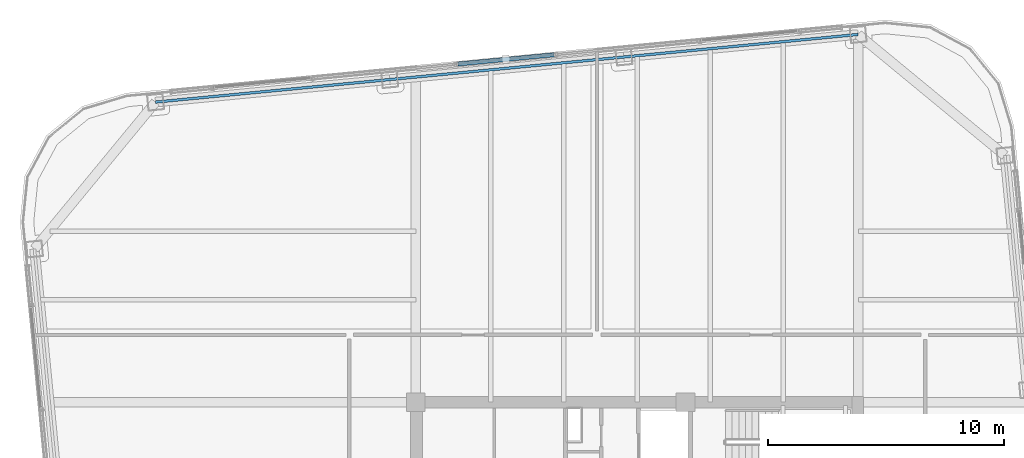
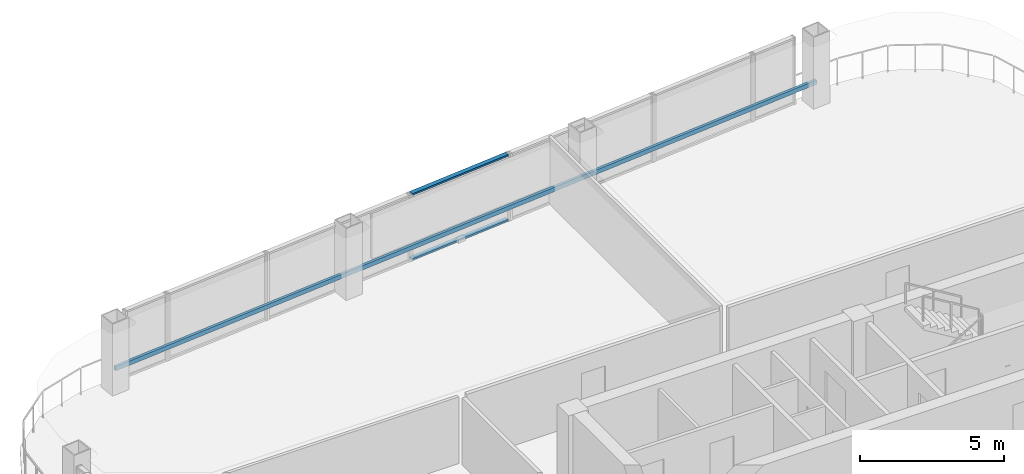
# One storey, part 20 of 28: 3 members, 1 element without a shape of its own.
"""IFC4 building model written with IfcOpenShell, lengths in metres."""

from ifc_helpers import new_model, si_unit, direction, frame, origin, origin_2d, place, context, subcontext, project, spatial, hollow_rectangle, extrude, material, layer, layer_set, material_profile, profile_set, type_object, element, aggregate, save


model = new_model("IFC4")

# Units and contexts
model_context = context("Model", 3, precision=1e-05, world=origin(), true_north=direction((0.0, 1.0)))
body_context = subcontext(model_context, "Body", "Model", "MODEL_VIEW")
ifc_project = project(units=[si_unit("LENGTHUNIT", "METRE"), si_unit("AREAUNIT", "SQUARE_METRE"), si_unit("VOLUMEUNIT", "CUBIC_METRE"), si_unit("PLANEANGLEUNIT", "RADIAN"), si_unit("MASSUNIT", "GRAM", prefix="KILO")], contexts=[model_context])

# Site, building, storey
site_placement = place(None, origin())
site = spatial("IfcSite", under=ifc_project, at=site_placement, CompositionType="ELEMENT")
building_placement = place(site_placement, origin())
building = spatial("IfcBuilding", under=site, at=building_placement, Name="Qhalaya Broadcast Tower", CompositionType="ELEMENT")
storey_placement = place(building_placement, frame((0.0, 0.0, 159.199951171875)))
storey = spatial("IfcBuildingStorey", under=building, at=storey_placement, Name="L46", CompositionType="ELEMENT", Elevation=159.199951171875)

# Member
ifc_material_1 = material(Name="Fired Architectural Terracotta", Category="masonry")
ifc_material_profile_1 = material_profile(ifc_material_1, hollow_rectangle(XDim=0.110107421875, YDim=0.179931640625, WallThickness=0.01806640625, at=origin_2d()), Name="TB-BAG 110x180x18")
ifc_profile_set_1 = profile_set([ifc_material_profile_1], Name="Fired Architectural Terracotta")
member_type_1 = type_object("IfcMemberType", Name="Fired Terracotta Facade Baguette Member TB1", PredefinedType="USERDEFINED", material=ifc_profile_set_1)
member_1_placement = place(storey_placement, frame((9.362060546875, 25.52783203125, 0.84912109375), z_axis=(-0.995396439073, -0.095843252659, 0.0), x_axis=(0.095843252659, -0.995396439073, 0.0)))
element("IfcMember", 1, at=member_1_placement, inside=storey, type_object=member_type_1, Name="L46 Terracotta Baguette Feature Rail N", ObjectType="BAGUETTE", PredefinedType="USERDEFINED", context=body_context, shape_type="SweptSolid", body=[
    extrude(hollow_rectangle(XDim=0.110107421875, YDim=0.179931640625, WallThickness=0.01806640625, at=origin_2d()), origin(), (0.0, 0.0, 1.0), 29.900146484375),
])

# Curtain wall, members
ifc_material_2 = material(Name="Solar-Control Low-E Triple Glazing", Category="glass")
ifc_layer = layer(ifc_material_2, 0.219970703125, Name="Solar-Control Low-E Triple Glazing")
ifc_layer_set = layer_set([ifc_layer], Name="Solar-Control Low-E Triple Glazing")
curtain_wall_type = type_object("IfcCurtainWallType", Name="Even-Block 4-Storey Double-Module Curtain Wall CW-03", PredefinedType="NOTDEFINED", material=ifc_layer_set)
curtain_wall_placement = place(storey_placement, origin())
curtain_wall = element("IfcCurtainWall", 2, at=curtain_wall_placement, inside=storey, type_object=curtain_wall_type, Name="L46 Unitised Curtain Wall L46-CW-N4", PredefinedType="NOTDEFINED")
ifc_material_3 = material(Name="Anodised Aluminium 6063-T6", Category="aluminium")
ifc_material_profile_2 = material_profile(ifc_material_3, hollow_rectangle(XDim=0.074951171875, YDim=0.179931640625, WallThickness=0.00390625, at=origin_2d()), Name="ALU-TRN 75x180x4")
ifc_profile_set_2 = profile_set([ifc_material_profile_2], Name="Anodised Aluminium 6063-T6")
member_type_2 = type_object("IfcMemberType", Name="Unitised Curtain-Wall Transom T01", PredefinedType="USERDEFINED", material=ifc_profile_set_2)
member_2_placement = place(storey_placement, frame((-3.51513671875, 24.669677734375, 0.03759765625), z_axis=(-0.995393742275, -0.095871256584, 0.0), x_axis=(0.0, 0.0, 1.0)))
member_2 = element("IfcMember", 3, at=member_2_placement, type_object=member_type_2, Name="CW-03 transom 1.1", ObjectType="TRANSOM", PredefinedType="USERDEFINED", context=body_context, shape_type="SweptSolid", body=[
    extrude(hollow_rectangle(XDim=0.074951171875, YDim=0.179931640625, WallThickness=0.00390625, at=origin_2d()), origin(), (0.0, 0.0, 1.0), 4.099853515625),
])
member_3_placement = place(storey_placement, frame((-3.51513671875, 24.669677734375, 2.79248046875), z_axis=(-0.995393742275, -0.095871256584, 0.0), x_axis=(0.0, 0.0, 1.0)))
member_3 = element("IfcMember", 4, at=member_3_placement, type_object=member_type_2, Name="CW-03 transom 1.2", ObjectType="TRANSOM", PredefinedType="USERDEFINED", context=body_context, shape_type="SweptSolid", body=[
    extrude(hollow_rectangle(XDim=0.074951171875, YDim=0.179931640625, WallThickness=0.00390625, at=origin_2d()), origin(), (0.0, 0.0, 1.0), 4.099853515625),
])
aggregate(curtain_wall, [member_2, member_3])

save(model, "model.ifc")
